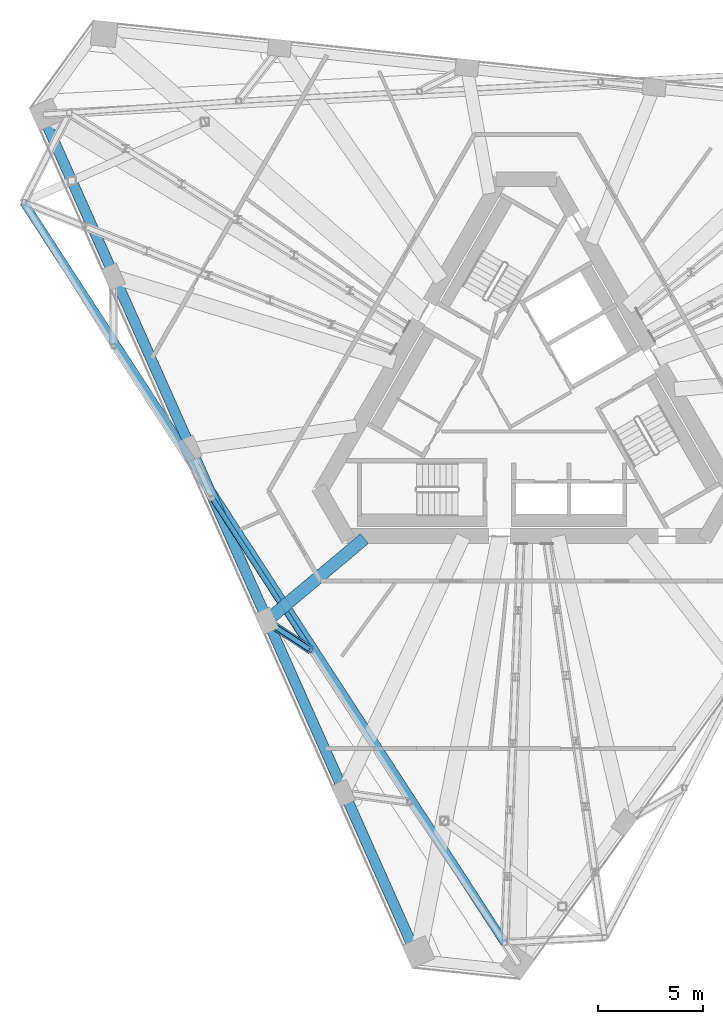
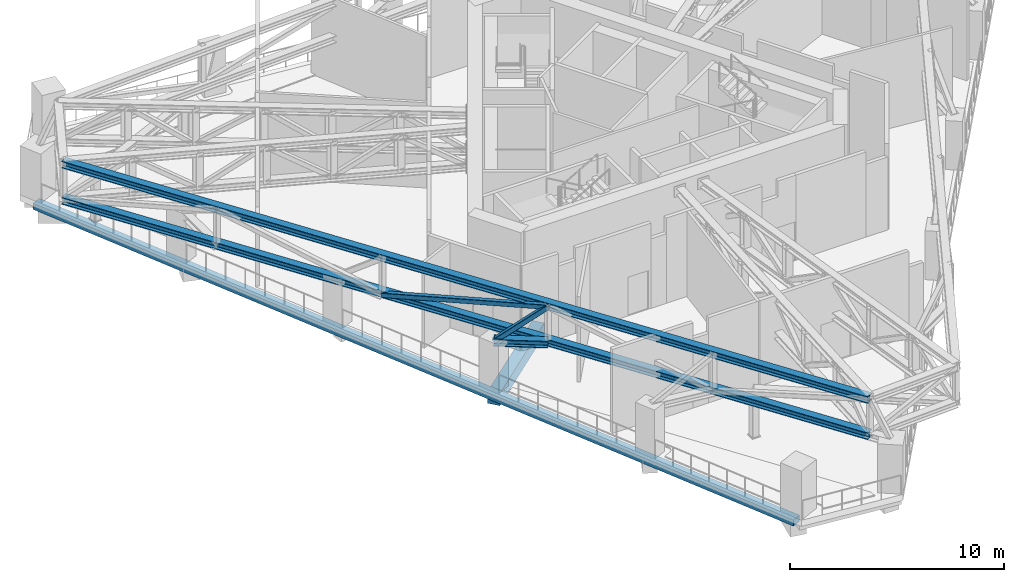
# One storey, part 3 of 20: 5 members, 2 beams.
"""IFC4 building model written with IfcOpenShell, lengths in metres."""

from ifc_helpers import new_model, si_unit, direction, frame, origin, origin_2d, place, context, subcontext, project, spatial, rectangle, hollow_rectangle, i_section, extrude, material, material_profile, profile_set, type_object, element, save


model = new_model("IFC4")

# Units and contexts
model_context = context("Model", 3, precision=1e-05, world=origin(), true_north=direction((0.0, 1.0)))
body_context = subcontext(model_context, "Body", "Model", "MODEL_VIEW")
ifc_project = project(units=[si_unit("LENGTHUNIT", "METRE"), si_unit("AREAUNIT", "SQUARE_METRE"), si_unit("VOLUMEUNIT", "CUBIC_METRE"), si_unit("PLANEANGLEUNIT", "RADIAN"), si_unit("MASSUNIT", "GRAM", prefix="KILO")], contexts=[model_context])

# Site, building, storey
site_placement = place(None, origin())
site = spatial("IfcSite", under=ifc_project, at=site_placement, CompositionType="ELEMENT")
building_placement = place(site_placement, origin())
building = spatial("IfcBuilding", under=site, at=building_placement, Name="Tramontana Tower", CompositionType="ELEMENT")
storey_placement = place(building_placement, frame((0.0, 0.0, 269.199951171875)))
storey = spatial("IfcBuildingStorey", under=building, at=storey_placement, Name="L63", CompositionType="ELEMENT", Elevation=269.199951171875)

# Members
ifc_material_1 = material(Name="Steel ASTM A500 Grade C", Category="steel")
ifc_material_profile_1 = material_profile(ifc_material_1, hollow_rectangle(XDim=0.25390625, YDim=0.25390625, WallThickness=0.01171875, InnerFilletRadius=0.01171875, OuterFilletRadius=0.023681640625, at=origin_2d()), Name="HSS10X10X1/2")
ifc_profile_set_1 = profile_set([ifc_material_profile_1], Name="Steel ASTM A500 Grade C")
member_type_1 = type_object("IfcMemberType", Name="Belt truss HSS10X10X1/2 brace", PredefinedType="BRACE", material=ifc_profile_set_1)
member_1_placement = place(storey_placement, frame((-15.022216796875, -4.592529296875, 2.59375), z_axis=(0.529803914379, -0.815863473925, 0.231677802613), x_axis=(0.838681846589, 0.544621667034, 0.0)))
element("IfcMember", 1, at=member_1_placement, inside=storey, type_object=member_type_1, Name="Belt truss diagonal S0.3", PredefinedType="BRACE", context=body_context, shape_type="SweptSolid", body=[
    extrude(hollow_rectangle(XDim=0.25390625, YDim=0.25390625, WallThickness=0.01171875, InnerFilletRadius=0.01171875, OuterFilletRadius=0.023681640625, at=origin_2d()), origin(), (0.0, 0.0, 1.0), 8.90234375),
])
ifc_material_2 = material(Name="Steel ASTM A992 Grade 50", Category="steel")
ifc_material_profile_2 = material_profile(ifc_material_2, i_section(OverallWidth=0.39697265625, OverallDepth=0.387451171875, WebThickness=0.020751953125, FlangeThickness=0.033447265625, FilletRadius=0.01513671875, at=origin_2d()), Name="W14X176")
ifc_profile_set_2 = profile_set([ifc_material_profile_2], Name="Steel ASTM A992 Grade 50")
member_type_2 = type_object("IfcMemberType", Name="Belt truss W14X176 chord", PredefinedType="CHORD", material=ifc_profile_set_2)
for number, where, z_axis, x_axis, name in (
    (2, (-24.030517578125, 9.55419921875, 2.59375), (0.544640586203, -0.83866956059, 0.0), (0.83866956059, 0.544640586203, 0.0), "Belt truss bottom chord S0"),
    (3, (-24.030517578125, 9.55419921875, 4.65625), (0.544640586203, -0.83866956059, 0.0), (0.83866956059, 0.544640586203, 0.0), "Belt truss top chord S0"),
):
    element("IfcMember", number, at=place(storey_placement, frame(where, z_axis=z_axis, x_axis=x_axis)), inside=storey, type_object=member_type_2, Name=name, PredefinedType="CHORD", context=body_context, shape_type="SweptSolid", body=[
        extrude(i_section(OverallWidth=0.39697265625, OverallDepth=0.387451171875, WebThickness=0.020751953125, FlangeThickness=0.033447265625, FilletRadius=0.01513671875, at=origin_2d()), origin(), (0.0, 0.0, 1.0), 42.201416015625),
    ])

# Beams
ifc_material_3 = material(Name="Concrete 40 MPa", Category="concrete")
ifc_material_profile_3 = material_profile(ifc_material_3, rectangle(XDim=0.5, YDim=0.35009765625, at=origin_2d()), Name="RC EDGE BEAM 500X350 40 MPa")
ifc_profile_set_3 = profile_set([ifc_material_profile_3], Name="Concrete 40 MPa")
beam_type_1 = type_object("IfcBeamType", Name="RC EDGE BEAM 500X350 40 MPa", PredefinedType="SPANDREL", material=ifc_profile_set_3)
beam_1_placement = place(storey_placement, frame((-23.119873046875, 13.697021484375, -0.52490234375), z_axis=(0.406736811644, -0.913545382591, 0.0), x_axis=(0.913545382591, 0.406736811644, 0.0)))
element("IfcBeam", 4, at=beam_1_placement, inside=storey, type_object=beam_type_1, Name="Spandrel beam S0 L63", PredefinedType="SPANDREL", context=body_context, shape_type="SweptSolid", body=[
    extrude(rectangle(XDim=0.5, YDim=0.35009765625, at=origin_2d()), origin(), (0.0, 0.0, 1.0), 43.833251953125),
])
ifc_material_4 = material(Name="Concrete 40 MPa", Category="concrete")
ifc_material_profile_4 = material_profile(ifc_material_4, rectangle(XDim=0.60009765625, YDim=0.699951171875, at=origin_2d()), Name="RC GIRDER 600X700 40 MPa")
ifc_profile_set_4 = profile_set([ifc_material_profile_4], Name="Concrete 40 MPa")
beam_type_2 = type_object("IfcBeamType", Name="RC GIRDER 600X700 40 MPa", PredefinedType="BEAM", material=ifc_profile_set_4)
beam_2_placement = place(storey_placement, frame((-12.419677734375, -10.458984375, -0.699951171875), z_axis=(0.7648987601, 0.644150515638, 0.0), x_axis=(-0.644150515638, 0.7648987601, 0.0)))
element("IfcBeam", 5, at=beam_2_placement, inside=storey, type_object=beam_type_2, Name="Radial girder C6F03 L63", PredefinedType="BEAM", context=body_context, shape_type="SweptSolid", body=[
    extrude(rectangle(XDim=0.60009765625, YDim=0.699951171875, at=origin_2d()), origin(), (0.0, 0.0, 1.0), 6.108154296875),
])

# Members
ifc_material_5 = material(Name="Steel ASTM A500 Grade C", Category="steel")
ifc_material_profile_5 = material_profile(ifc_material_5, hollow_rectangle(XDim=0.25390625, YDim=0.25390625, WallThickness=0.01171875, InnerFilletRadius=0.01171875, OuterFilletRadius=0.023681640625, at=origin_2d()), Name="HSS10X10X1/2")
ifc_profile_set_5 = profile_set([ifc_material_profile_5], Name="Steel ASTM A500 Grade C")
member_type_3 = type_object("IfcMemberType", Name="Transfer truss HSS10X10X1/2 brace", PredefinedType="BRACE", material=ifc_profile_set_5)
member_2_placement = place(storey_placement, frame((-12.419677734375, -10.458984375, 2.59375), z_axis=(0.647065202963, -0.427515882452, 0.631297705813), x_axis=(0.551248881105, 0.834340860249, 0.0)))
element("IfcMember", 6, at=member_2_placement, inside=storey, type_object=member_type_3, Name="Transfer truss strut C7F03 diagonal", PredefinedType="BRACE", context=body_context, shape_type="SweptSolid", body=[
    extrude(hollow_rectangle(XDim=0.25390625, YDim=0.25390625, WallThickness=0.01171875, InnerFilletRadius=0.01171875, OuterFilletRadius=0.023681640625, at=origin_2d()), origin(), (0.0, 0.0, 1.0), 3.26708984375),
])
ifc_material_6 = material(Name="Steel ASTM A992 Grade 50", Category="steel")
ifc_material_profile_6 = material_profile(ifc_material_6, i_section(OverallWidth=0.39697265625, OverallDepth=0.387451171875, WebThickness=0.020751953125, FlangeThickness=0.033447265625, FilletRadius=0.01513671875, at=origin_2d()), Name="W14X176")
ifc_profile_set_6 = profile_set([ifc_material_profile_6], Name="Steel ASTM A992 Grade 50")
member_type_4 = type_object("IfcMemberType", Name="Transfer truss W14X176 strut", PredefinedType="STRUT", material=ifc_profile_set_6)
member_3_placement = place(storey_placement, frame((-12.419677734375, -10.458984375, 2.59375), z_axis=(0.834340860249, -0.551248881105, 0.0), x_axis=(0.551248881105, 0.834340860249, 0.0)))
element("IfcMember", 7, at=member_3_placement, inside=storey, type_object=member_type_4, Name="Transfer truss strut C7F03 bottom", PredefinedType="STRUT", context=body_context, shape_type="SweptSolid", body=[
    extrude(i_section(OverallWidth=0.39697265625, OverallDepth=0.387451171875, WebThickness=0.020751953125, FlangeThickness=0.033447265625, FilletRadius=0.01513671875, at=origin_2d()), origin(), (0.0, 0.0, 1.0), 2.53369140625),
])

save(model, "model.ifc")
